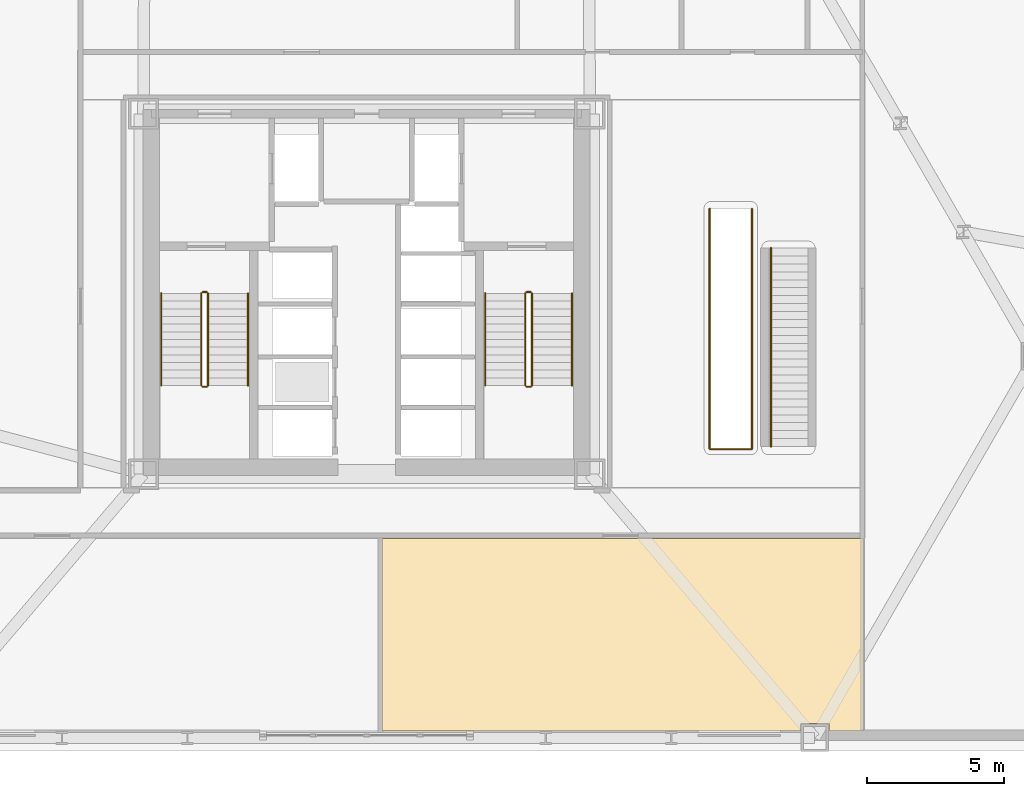
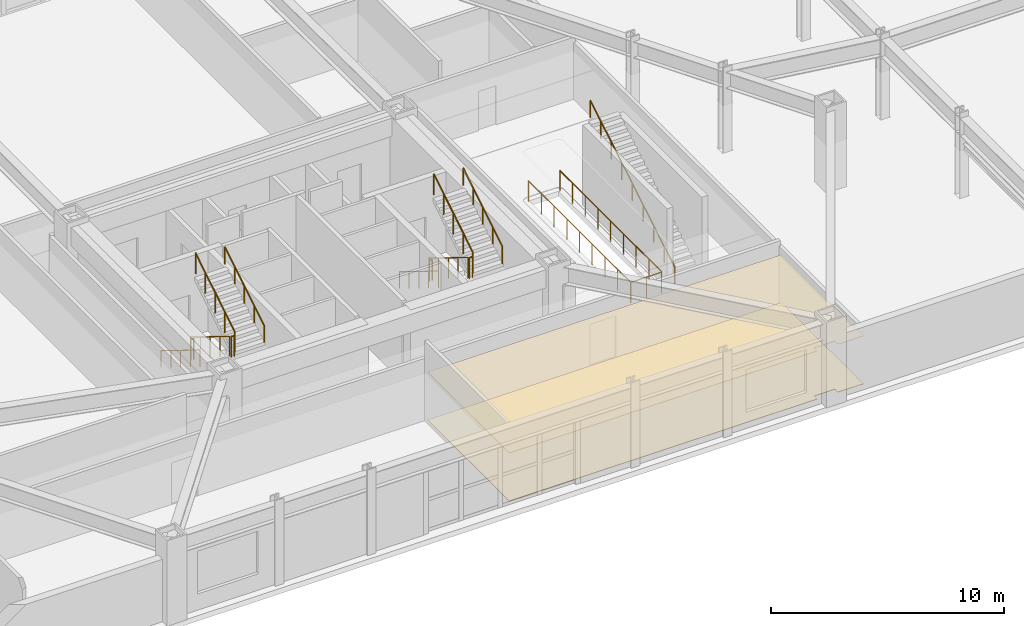
# One storey, part 19 of 21: 16 railings, 2 coverings.
"""IFC4 building model written with IfcOpenShell, lengths in metres."""

from ifc_helpers import new_model, si_unit, direction, frame, origin, origin_2d, place, context, subcontext, project, spatial, polyline, circle, outline, extrude, material, layer, layer_set, type_object, element, save


model = new_model("IFC4")

# Units and contexts
model_context = context("Model", 3, precision=1e-05, world=origin(), true_north=direction((0.0, 1.0)))
body_context = subcontext(model_context, "Body", "Model", "MODEL_VIEW")
ifc_project = project(units=[si_unit("LENGTHUNIT", "METRE"), si_unit("AREAUNIT", "SQUARE_METRE"), si_unit("VOLUMEUNIT", "CUBIC_METRE"), si_unit("PLANEANGLEUNIT", "RADIAN"), si_unit("MASSUNIT", "GRAM", prefix="KILO")], contexts=[model_context])

# Site, building, storey
site_placement = place(None, origin())
site = spatial("IfcSite", under=ifc_project, at=site_placement, CompositionType="ELEMENT")
building_placement = place(site_placement, origin())
building = spatial("IfcBuilding", under=site, at=building_placement, Name="Oramaril Tower", CompositionType="ELEMENT")
storey_placement = place(building_placement, frame((0.0, 0.0, 5.39990234375)))
storey = spatial("IfcBuildingStorey", under=building, at=storey_placement, Name="L01", CompositionType="ELEMENT", Elevation=5.39990234375)

# Coverings
ifc_material_1 = material(Name="Mineral Fibre Acoustic Ceiling")
ifc_layer_1 = layer(ifc_material_1, 0.02001953125)
ifc_layer_set_1 = layer_set([ifc_layer_1], Name="CVT-CEIL")
covering_type_1 = type_object("IfcCoveringType", Name="CVT-CEIL", PredefinedType="CEILING", material=ifc_layer_set_1)
covering_1_placement = place(storey_placement, frame((0.0, 0.0, 2.522216796875)))
element("IfcCovering", 1, at=covering_1_placement, inside=storey, type_object=covering_type_1, Name="L01 Acoustic Suspended Ceiling 6", PredefinedType="CEILING", context=body_context, shape_type="SweptSolid", body=[
    extrude(outline(polyline([(55.64208984375, 1.617919921875), (54.382080078125, 1.617919921875), (54.382080078125, 1.8798828125), (53.342041015625, 1.8798828125), (53.342041015625, 1.617919921875), (38.06201171875, 1.617919921875), (38.06201171875, 8.64990234375), (55.64208984375, 8.64990234375), (55.64208984375, 1.617919921875)])), origin(), (0.0, 0.0, 1.0), 0.019775390625),
])
ifc_material_2 = material(Name="Honed Quartzite Stone Flooring", Category="masonry")
ifc_layer_2 = layer(ifc_material_2, 0.02490234375)
ifc_layer_set_2 = layer_set([ifc_layer_2], Name="CVT-FLR")
covering_type_2 = type_object("IfcCoveringType", Name="CVT-FLR", PredefinedType="FLOORING", material=ifc_layer_set_2)
covering_2_placement = place(storey_placement, origin())
element("IfcCovering", 2, at=covering_2_placement, inside=storey, type_object=covering_type_2, Name="L01 Honed Stone Floor Finish 6", PredefinedType="FLOORING", context=body_context, shape_type="SweptSolid", body=[
    extrude(outline(polyline([(55.64208984375, 1.617919921875), (54.382080078125, 1.617919921875), (54.382080078125, 1.8798828125), (53.342041015625, 1.8798828125), (53.342041015625, 1.617919921875), (38.06201171875, 1.617919921875), (38.06201171875, 8.64990234375), (55.64208984375, 8.64990234375), (55.64208984375, 1.617919921875)])), origin(), (0.0, 0.0, 1.0), 0.025146484375),
])

# Railings
ifc_material_3 = material(Name="Stainless Steel 316L", Category="steel")
railing_type_1 = type_object("IfcRailingType", Name="RLT-GRD", PredefinedType="GUARDRAIL", material=ifc_material_3)
railing_1_placement = place(storey_placement, frame((31.4599609375, 17.590087890625, 0.173095703125)))
element("IfcRailing", 3, at=railing_1_placement, inside=storey, type_object=railing_type_1, Name="L01 ST-1 stair guard 1", PredefinedType="GUARDRAIL", context=body_context, shape_type="SweptSolid", body=[
    extrude(circle(Radius=0.02392578125, at=origin_2d()), frame((0.0, 0.0, 1.076171875), z_axis=(0.0, -0.850623216509, 0.525775754039), x_axis=(1.0, 0.0, 0.0)), (0.0, 0.0, 1.0), 3.9501953125),
    extrude(circle(Radius=0.02099609375, at=origin_2d()), origin(), (0.0, 0.0, 1.0), 1.052001953125),
    extrude(circle(Radius=0.02099609375, at=origin_2d()), frame((0.0, -0.840087890625, 0.519287109375)), (0.0, 0.0, 1.0), 1.052001953125),
    extrude(circle(Radius=0.02099609375, at=origin_2d()), frame((0.0, -1.68017578125, 1.03857421875)), (0.0, 0.0, 1.0), 1.052001953125),
    extrude(circle(Radius=0.02099609375, at=origin_2d()), frame((0.0, -2.52001953125, 1.5576171875)), (0.0, 0.0, 1.0), 1.052001953125),
    extrude(circle(Radius=0.02099609375, at=origin_2d()), frame((0.0, -3.360107421875, 2.076904296875)), (0.0, 0.0, 1.0), 1.052001953125),
])
railing_2_placement = place(storey_placement, frame((31.510009765625, 14.179931640625, 2.25)))
element("IfcRailing", 4, at=railing_2_placement, inside=storey, type_object=railing_type_1, Name="L01 ST-1 stair guard 2", PredefinedType="GUARDRAIL", context=body_context, shape_type="SweptSolid", body=[
    extrude(circle(Radius=0.02392578125, at=origin_2d()), frame((0.0, 0.0, 1.076171875), z_axis=(1.0, 0.0, 0.0), x_axis=(0.0, 1.0, 0.0)), (0.0, 0.0, 1.0), 0.14990234375),
    extrude(circle(Radius=0.02099609375, at=origin_2d()), origin(), (0.0, 0.0, 1.0), 1.052001953125),
    extrude(circle(Radius=0.02099609375, at=origin_2d()), frame((0.14990234375, 0.0, 0.0)), (0.0, 0.0, 1.0), 1.052001953125),
])
railing_3_placement = place(storey_placement, frame((31.7099609375, 14.22998046875, 2.423095703125)))
element("IfcRailing", 5, at=railing_3_placement, inside=storey, type_object=railing_type_1, Name="L01 ST-1 stair guard 3", PredefinedType="GUARDRAIL", context=body_context, shape_type="SweptSolid", body=[
    extrude(circle(Radius=0.02392578125, at=origin_2d()), frame((0.0, 0.0, 1.076171875), z_axis=(0.0, 0.850623216509, 0.525775754039), x_axis=(-1.0, 0.0, 0.0)), (0.0, 0.0, 1.0), 3.9501953125),
    extrude(circle(Radius=0.02099609375, at=origin_2d()), origin(), (0.0, 0.0, 1.0), 1.052001953125),
    extrude(circle(Radius=0.02099609375, at=origin_2d()), frame((0.0, 0.840087890625, 0.519287109375)), (0.0, 0.0, 1.0), 1.052001953125),
    extrude(circle(Radius=0.02099609375, at=origin_2d()), frame((0.0, 1.68017578125, 1.03857421875)), (0.0, 0.0, 1.0), 1.052001953125),
    extrude(circle(Radius=0.02099609375, at=origin_2d()), frame((0.0, 2.52001953125, 1.5576171875)), (0.0, 0.0, 1.0), 1.052001953125),
    extrude(circle(Radius=0.02099609375, at=origin_2d()), frame((0.0, 3.360107421875, 2.076904296875)), (0.0, 0.0, 1.0), 1.052001953125),
])
railing_4_placement = place(storey_placement, frame((31.510009765625, 17.639892578125, 0.0)))
element("IfcRailing", 6, at=railing_4_placement, inside=storey, type_object=railing_type_1, Name="L01 ST-1 stair guard 4", PredefinedType="GUARDRAIL", context=body_context, shape_type="SweptSolid", body=[
    extrude(circle(Radius=0.02392578125, at=origin_2d()), frame((0.0, 0.0, 1.076171875), z_axis=(1.0, 0.0, 0.0), x_axis=(0.0, 1.0, 0.0)), (0.0, 0.0, 1.0), 0.14990234375),
    extrude(circle(Radius=0.02099609375, at=origin_2d()), origin(), (0.0, 0.0, 1.0), 1.052001953125),
    extrude(circle(Radius=0.02099609375, at=origin_2d()), frame((0.14990234375, 0.0, 0.0)), (0.0, 0.0, 1.0), 1.052001953125),
])
railing_5_placement = place(storey_placement, frame((43.2900390625, 17.590087890625, 0.173095703125)))
element("IfcRailing", 7, at=railing_5_placement, inside=storey, type_object=railing_type_1, Name="L01 ST-2 stair guard 1", PredefinedType="GUARDRAIL", context=body_context, shape_type="SweptSolid", body=[
    extrude(circle(Radius=0.02392578125, at=origin_2d()), frame((0.0, 0.0, 1.076171875), z_axis=(0.0, -0.850623216509, 0.525775754039), x_axis=(1.0, 0.0, 0.0)), (0.0, 0.0, 1.0), 3.9501953125),
    extrude(circle(Radius=0.02099609375, at=origin_2d()), origin(), (0.0, 0.0, 1.0), 1.052001953125),
    extrude(circle(Radius=0.02099609375, at=origin_2d()), frame((0.0, -0.840087890625, 0.519287109375)), (0.0, 0.0, 1.0), 1.052001953125),
    extrude(circle(Radius=0.02099609375, at=origin_2d()), frame((0.0, -1.68017578125, 1.03857421875)), (0.0, 0.0, 1.0), 1.052001953125),
    extrude(circle(Radius=0.02099609375, at=origin_2d()), frame((0.0, -2.52001953125, 1.5576171875)), (0.0, 0.0, 1.0), 1.052001953125),
    extrude(circle(Radius=0.02099609375, at=origin_2d()), frame((0.0, -3.360107421875, 2.076904296875)), (0.0, 0.0, 1.0), 1.052001953125),
])
railing_6_placement = place(storey_placement, frame((43.340087890625, 14.179931640625, 2.25)))
element("IfcRailing", 8, at=railing_6_placement, inside=storey, type_object=railing_type_1, Name="L01 ST-2 stair guard 2", PredefinedType="GUARDRAIL", context=body_context, shape_type="SweptSolid", body=[
    extrude(circle(Radius=0.02392578125, at=origin_2d()), frame((0.0, 0.0, 1.076171875), z_axis=(1.0, 0.0, 0.0), x_axis=(0.0, 1.0, 0.0)), (0.0, 0.0, 1.0), 0.14990234375),
    extrude(circle(Radius=0.02099609375, at=origin_2d()), origin(), (0.0, 0.0, 1.0), 1.052001953125),
    extrude(circle(Radius=0.02099609375, at=origin_2d()), frame((0.14990234375, 0.0, 0.0)), (0.0, 0.0, 1.0), 1.052001953125),
])
railing_7_placement = place(storey_placement, frame((43.5400390625, 14.22998046875, 2.423095703125)))
element("IfcRailing", 9, at=railing_7_placement, inside=storey, type_object=railing_type_1, Name="L01 ST-2 stair guard 3", PredefinedType="GUARDRAIL", context=body_context, shape_type="SweptSolid", body=[
    extrude(circle(Radius=0.02392578125, at=origin_2d()), frame((0.0, 0.0, 1.076171875), z_axis=(0.0, 0.850623216509, 0.525775754039), x_axis=(-1.0, 0.0, 0.0)), (0.0, 0.0, 1.0), 3.9501953125),
    extrude(circle(Radius=0.02099609375, at=origin_2d()), origin(), (0.0, 0.0, 1.0), 1.052001953125),
    extrude(circle(Radius=0.02099609375, at=origin_2d()), frame((0.0, 0.840087890625, 0.519287109375)), (0.0, 0.0, 1.0), 1.052001953125),
    extrude(circle(Radius=0.02099609375, at=origin_2d()), frame((0.0, 1.68017578125, 1.03857421875)), (0.0, 0.0, 1.0), 1.052001953125),
    extrude(circle(Radius=0.02099609375, at=origin_2d()), frame((0.0, 2.52001953125, 1.5576171875)), (0.0, 0.0, 1.0), 1.052001953125),
    extrude(circle(Radius=0.02099609375, at=origin_2d()), frame((0.0, 3.360107421875, 2.076904296875)), (0.0, 0.0, 1.0), 1.052001953125),
])
railing_8_placement = place(storey_placement, frame((43.340087890625, 17.639892578125, 0.0)))
element("IfcRailing", 10, at=railing_8_placement, inside=storey, type_object=railing_type_1, Name="L01 ST-2 stair guard 4", PredefinedType="GUARDRAIL", context=body_context, shape_type="SweptSolid", body=[
    extrude(circle(Radius=0.02392578125, at=origin_2d()), frame((0.0, 0.0, 1.076171875), z_axis=(1.0, 0.0, 0.0), x_axis=(0.0, 1.0, 0.0)), (0.0, 0.0, 1.0), 0.14990234375),
    extrude(circle(Radius=0.02099609375, at=origin_2d()), origin(), (0.0, 0.0, 1.0), 1.052001953125),
    extrude(circle(Radius=0.02099609375, at=origin_2d()), frame((0.14990234375, 0.0, 0.0)), (0.0, 0.0, 1.0), 1.052001953125),
])
railing_9_placement = place(storey_placement, frame((50.02490234375, 20.679443359375, 0.0)))
element("IfcRailing", 11, at=railing_9_placement, inside=storey, type_object=railing_type_1, Name="L01 ST-4A Well Guard 1", PredefinedType="GUARDRAIL", context=body_context, shape_type="SweptSolid", body=[
    extrude(circle(Radius=0.02392578125, at=origin_2d()), frame((0.0, 0.0, 1.076171875), z_axis=(0.0, -1.0, 0.0), x_axis=(1.0, 0.0, 0.0)), (0.0, 0.0, 1.0), 8.759521484375),
    extrude(circle(Radius=0.02099609375, at=origin_2d()), origin(), (0.0, 0.0, 1.0), 1.052001953125),
    extrude(circle(Radius=0.02099609375, at=origin_2d()), frame((0.0, -1.094970703125, 0.0)), (0.0, 0.0, 1.0), 1.052001953125),
    extrude(circle(Radius=0.02099609375, at=origin_2d()), frame((0.0, -2.18994140625, 0.0)), (0.0, 0.0, 1.0), 1.052001953125),
    extrude(circle(Radius=0.02099609375, at=origin_2d()), frame((0.0, -3.284912109375, 0.0)), (0.0, 0.0, 1.0), 1.052001953125),
    extrude(circle(Radius=0.02099609375, at=origin_2d()), frame((0.0, -4.3798828125, 0.0)), (0.0, 0.0, 1.0), 1.052001953125),
    extrude(circle(Radius=0.02099609375, at=origin_2d()), frame((0.0, -5.474609375, 0.0)), (0.0, 0.0, 1.0), 1.052001953125),
    extrude(circle(Radius=0.02099609375, at=origin_2d()), frame((0.0, -6.569580078125, 0.0)), (0.0, 0.0, 1.0), 1.052001953125),
    extrude(circle(Radius=0.02099609375, at=origin_2d()), frame((0.0, -7.66455078125, 0.0)), (0.0, 0.0, 1.0), 1.052001953125),
    extrude(circle(Radius=0.02099609375, at=origin_2d()), frame((0.0, -8.759521484375, 0.0)), (0.0, 0.0, 1.0), 1.052001953125),
])
railing_10_placement = place(storey_placement, frame((50.044921875, 11.89990234375, 0.0)))
element("IfcRailing", 12, at=railing_10_placement, inside=storey, type_object=railing_type_1, Name="L01 ST-4A Well Guard 2", PredefinedType="GUARDRAIL", context=body_context, shape_type="SweptSolid", body=[
    extrude(circle(Radius=0.02392578125, at=origin_2d()), frame((0.0, 0.0, 1.076171875), z_axis=(1.0, 0.0, 0.0), x_axis=(0.0, 1.0, 0.0)), (0.0, 0.0, 1.0), 1.510009765625),
    extrude(circle(Radius=0.02099609375, at=origin_2d()), origin(), (0.0, 0.0, 1.0), 1.052001953125),
    extrude(circle(Radius=0.02099609375, at=origin_2d()), frame((0.7548828125, 0.0, 0.0)), (0.0, 0.0, 1.0), 1.052001953125),
    extrude(circle(Radius=0.02099609375, at=origin_2d()), frame((1.510009765625, 0.0, 0.0)), (0.0, 0.0, 1.0), 1.052001953125),
])
railing_11_placement = place(storey_placement, frame((51.574951171875, 11.919921875, 0.0)))
element("IfcRailing", 13, at=railing_11_placement, inside=storey, type_object=railing_type_1, Name="L01 ST-4A Well Guard 3", PredefinedType="GUARDRAIL", context=body_context, shape_type="SweptSolid", body=[
    extrude(circle(Radius=0.02392578125, at=origin_2d()), frame((0.0, 0.0, 1.076171875), z_axis=(0.0, 1.0, 0.0), x_axis=(-1.0, 0.0, 0.0)), (0.0, 0.0, 1.0), 8.759521484375),
    extrude(circle(Radius=0.02099609375, at=origin_2d()), origin(), (0.0, 0.0, 1.0), 1.052001953125),
    extrude(circle(Radius=0.02099609375, at=origin_2d()), frame((0.0, 1.094970703125, 0.0)), (0.0, 0.0, 1.0), 1.052001953125),
    extrude(circle(Radius=0.02099609375, at=origin_2d()), frame((0.0, 2.18994140625, 0.0)), (0.0, 0.0, 1.0), 1.052001953125),
    extrude(circle(Radius=0.02099609375, at=origin_2d()), frame((0.0, 3.284912109375, 0.0)), (0.0, 0.0, 1.0), 1.052001953125),
    extrude(circle(Radius=0.02099609375, at=origin_2d()), frame((0.0, 4.3798828125, 0.0)), (0.0, 0.0, 1.0), 1.052001953125),
    extrude(circle(Radius=0.02099609375, at=origin_2d()), frame((0.0, 5.474609375, 0.0)), (0.0, 0.0, 1.0), 1.052001953125),
    extrude(circle(Radius=0.02099609375, at=origin_2d()), frame((0.0, 6.569580078125, 0.0)), (0.0, 0.0, 1.0), 1.052001953125),
    extrude(circle(Radius=0.02099609375, at=origin_2d()), frame((0.0, 7.66455078125, 0.0)), (0.0, 0.0, 1.0), 1.052001953125),
    extrude(circle(Radius=0.02099609375, at=origin_2d()), frame((0.0, 8.759521484375, 0.0)), (0.0, 0.0, 1.0), 1.052001953125),
])
ifc_material_4 = material(Name="Stainless Steel 316L", Category="steel")
railing_type_2 = type_object("IfcRailingType", Name="RLT-HND", PredefinedType="HANDRAIL", material=ifc_material_4)
railing_12_placement = place(storey_placement, frame((30.0, 17.590087890625, 0.173095703125)))
element("IfcRailing", 14, at=railing_12_placement, inside=storey, type_object=railing_type_2, Name="L01 ST-1 stair handrail 1", PredefinedType="HANDRAIL", context=body_context, shape_type="SweptSolid", body=[
    extrude(circle(Radius=0.02392578125, at=origin_2d()), frame((0.0, 0.0, 0.8759765625), z_axis=(0.0, -0.850623216509, 0.525775754039), x_axis=(1.0, 0.0, 0.0)), (0.0, 0.0, 1.0), 3.9501953125),
    extrude(circle(Radius=0.02099609375, at=origin_2d()), origin(), (0.0, 0.0, 1.0), 0.851806640625),
    extrude(circle(Radius=0.02099609375, at=origin_2d()), frame((0.0, -0.840087890625, 0.519287109375)), (0.0, 0.0, 1.0), 0.851806640625),
    extrude(circle(Radius=0.02099609375, at=origin_2d()), frame((0.0, -1.68017578125, 1.03857421875)), (0.0, 0.0, 1.0), 0.851806640625),
    extrude(circle(Radius=0.02099609375, at=origin_2d()), frame((0.0, -2.52001953125, 1.5576171875)), (0.0, 0.0, 1.0), 0.851806640625),
    extrude(circle(Radius=0.02099609375, at=origin_2d()), frame((0.0, -3.360107421875, 2.076904296875)), (0.0, 0.0, 1.0), 0.851806640625),
])
railing_13_placement = place(storey_placement, frame((33.169921875, 14.22998046875, 2.423095703125)))
element("IfcRailing", 15, at=railing_13_placement, inside=storey, type_object=railing_type_2, Name="L01 ST-1 stair handrail 2", PredefinedType="HANDRAIL", context=body_context, shape_type="SweptSolid", body=[
    extrude(circle(Radius=0.02392578125, at=origin_2d()), frame((0.0, 0.0, 0.8759765625), z_axis=(0.0, 0.850623216509, 0.525775754039), x_axis=(-1.0, 0.0, 0.0)), (0.0, 0.0, 1.0), 3.9501953125),
    extrude(circle(Radius=0.02099609375, at=origin_2d()), origin(), (0.0, 0.0, 1.0), 0.851806640625),
    extrude(circle(Radius=0.02099609375, at=origin_2d()), frame((0.0, 0.840087890625, 0.519287109375)), (0.0, 0.0, 1.0), 0.851806640625),
    extrude(circle(Radius=0.02099609375, at=origin_2d()), frame((0.0, 1.68017578125, 1.03857421875)), (0.0, 0.0, 1.0), 0.851806640625),
    extrude(circle(Radius=0.02099609375, at=origin_2d()), frame((0.0, 2.52001953125, 1.5576171875)), (0.0, 0.0, 1.0), 0.851806640625),
    extrude(circle(Radius=0.02099609375, at=origin_2d()), frame((0.0, 3.360107421875, 2.076904296875)), (0.0, 0.0, 1.0), 0.851806640625),
])
railing_14_placement = place(storey_placement, frame((41.830078125, 17.590087890625, 0.173095703125)))
element("IfcRailing", 16, at=railing_14_placement, inside=storey, type_object=railing_type_2, Name="L01 ST-2 stair handrail 1", PredefinedType="HANDRAIL", context=body_context, shape_type="SweptSolid", body=[
    extrude(circle(Radius=0.02392578125, at=origin_2d()), frame((0.0, 0.0, 0.8759765625), z_axis=(0.0, -0.850623216509, 0.525775754039), x_axis=(1.0, 0.0, 0.0)), (0.0, 0.0, 1.0), 3.9501953125),
    extrude(circle(Radius=0.02099609375, at=origin_2d()), origin(), (0.0, 0.0, 1.0), 0.851806640625),
    extrude(circle(Radius=0.02099609375, at=origin_2d()), frame((0.0, -0.840087890625, 0.519287109375)), (0.0, 0.0, 1.0), 0.851806640625),
    extrude(circle(Radius=0.02099609375, at=origin_2d()), frame((0.0, -1.68017578125, 1.03857421875)), (0.0, 0.0, 1.0), 0.851806640625),
    extrude(circle(Radius=0.02099609375, at=origin_2d()), frame((0.0, -2.52001953125, 1.5576171875)), (0.0, 0.0, 1.0), 0.851806640625),
    extrude(circle(Radius=0.02099609375, at=origin_2d()), frame((0.0, -3.360107421875, 2.076904296875)), (0.0, 0.0, 1.0), 0.851806640625),
])
railing_15_placement = place(storey_placement, frame((45.0, 14.22998046875, 2.423095703125)))
element("IfcRailing", 17, at=railing_15_placement, inside=storey, type_object=railing_type_2, Name="L01 ST-2 stair handrail 2", PredefinedType="HANDRAIL", context=body_context, shape_type="SweptSolid", body=[
    extrude(circle(Radius=0.02392578125, at=origin_2d()), frame((0.0, 0.0, 0.8759765625), z_axis=(0.0, 0.850623216509, 0.525775754039), x_axis=(-1.0, 0.0, 0.0)), (0.0, 0.0, 1.0), 3.9501953125),
    extrude(circle(Radius=0.02099609375, at=origin_2d()), origin(), (0.0, 0.0, 1.0), 0.851806640625),
    extrude(circle(Radius=0.02099609375, at=origin_2d()), frame((0.0, 0.840087890625, 0.519287109375)), (0.0, 0.0, 1.0), 0.851806640625),
    extrude(circle(Radius=0.02099609375, at=origin_2d()), frame((0.0, 1.68017578125, 1.03857421875)), (0.0, 0.0, 1.0), 0.851806640625),
    extrude(circle(Radius=0.02099609375, at=origin_2d()), frame((0.0, 2.52001953125, 1.5576171875)), (0.0, 0.0, 1.0), 0.851806640625),
    extrude(circle(Radius=0.02099609375, at=origin_2d()), frame((0.0, 3.360107421875, 2.076904296875)), (0.0, 0.0, 1.0), 0.851806640625),
])
railing_16_placement = place(storey_placement, frame((52.264892578125, 12.0, 0.173095703125)))
element("IfcRailing", 18, at=railing_16_placement, inside=storey, type_object=railing_type_2, Name="L01 ST-4B Pitch Handrail", PredefinedType="HANDRAIL", context=body_context, shape_type="SweptSolid", body=[
    extrude(circle(Radius=0.02392578125, at=origin_2d()), frame((0.0, 0.0, 0.8759765625), z_axis=(0.0, 0.858697395518, 0.512482958673), x_axis=(-1.0, 0.0, 0.0)), (0.0, 0.0, 1.0), 8.443115234375),
    extrude(circle(Radius=0.02099609375, at=origin_2d()), origin(), (0.0, 0.0, 1.0), 0.851806640625),
    extrude(circle(Radius=0.02099609375, at=origin_2d()), frame((0.0, 0.90625, 0.540771484375)), (0.0, 0.0, 1.0), 0.851806640625),
    extrude(circle(Radius=0.02099609375, at=origin_2d()), frame((0.0, 1.8125, 1.081787109375)), (0.0, 0.0, 1.0), 0.851806640625),
    extrude(circle(Radius=0.02099609375, at=origin_2d()), frame((0.0, 2.71875, 1.62255859375)), (0.0, 0.0, 1.0), 0.851806640625),
    extrude(circle(Radius=0.02099609375, at=origin_2d()), frame((0.0, 3.625, 2.16357421875)), (0.0, 0.0, 1.0), 0.851806640625),
    extrude(circle(Radius=0.02099609375, at=origin_2d()), frame((0.0, 4.53125, 2.704345703125)), (0.0, 0.0, 1.0), 0.851806640625),
    extrude(circle(Radius=0.02099609375, at=origin_2d()), frame((0.0, 5.4375, 3.2451171875)), (0.0, 0.0, 1.0), 0.851806640625),
    extrude(circle(Radius=0.02099609375, at=origin_2d()), frame((0.0, 6.34375, 3.7861328125)), (0.0, 0.0, 1.0), 0.851806640625),
    extrude(circle(Radius=0.02099609375, at=origin_2d()), frame((0.0, 7.25, 4.326904296875)), (0.0, 0.0, 1.0), 0.851806640625),
])

save(model, "model.ifc")
